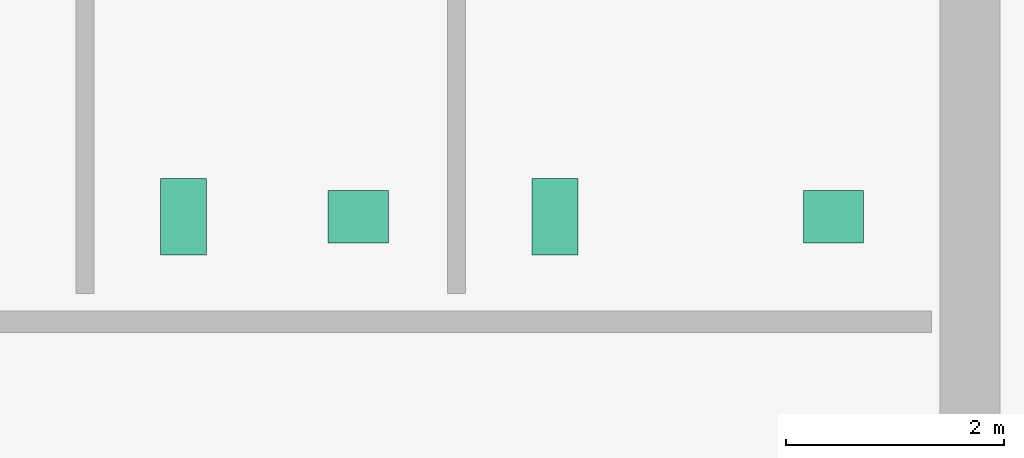
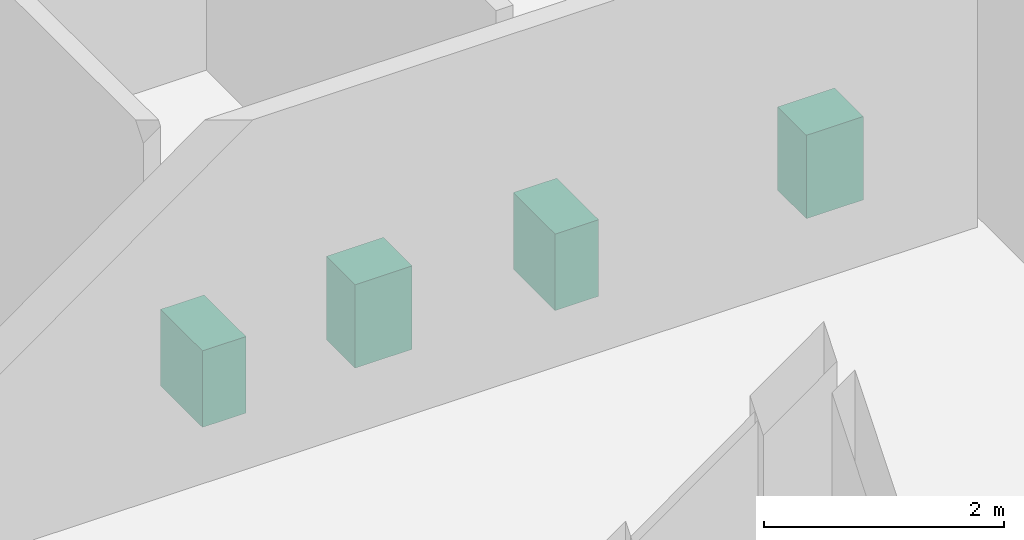
# One storey, part 14 of 14: 4 sanitary terminals.
"""IFC4 building model written with IfcOpenShell, lengths in metres."""

from ifc_helpers import new_model, si_unit, direction, frame, origin, origin_2d, place, context, subcontext, project, spatial, rectangle, extrude, material, type_object, element, save


model = new_model("IFC4")

# Units and contexts
model_context = context("Model", 3, precision=1e-05, world=origin(), true_north=direction((0.0, 1.0)))
body_context = subcontext(model_context, "Body", "Model", "MODEL_VIEW")
ifc_project = project(units=[si_unit("LENGTHUNIT", "METRE"), si_unit("AREAUNIT", "SQUARE_METRE"), si_unit("VOLUMEUNIT", "CUBIC_METRE"), si_unit("PLANEANGLEUNIT", "RADIAN"), si_unit("MASSUNIT", "GRAM", prefix="KILO")], contexts=[model_context])

# Site, building, storey
site_placement = place(None, origin())
site = spatial("IfcSite", under=ifc_project, at=site_placement, CompositionType="ELEMENT")
building_placement = place(site_placement, origin())
building = spatial("IfcBuilding", under=site, at=building_placement, Name="Norrvale University Quadrangle", CompositionType="ELEMENT")
storey_placement = place(building_placement, frame((0.0, 0.0, 221.800048828125)))
storey = spatial("IfcBuildingStorey", under=building, at=storey_placement, Name="L56", CompositionType="ELEMENT", Elevation=221.800048828125)

# Sanitary terminals
ifc_material = material(Name="Vitreous China Sanitaryware")
sanitary_terminal_type_1 = type_object("IfcSanitaryTerminalType", Name="Sanitary Wash Basin", PredefinedType="WASHHANDBASIN", material=ifc_material)
for number, where, z_axis, x_axis, name in (
    (1, (11.199951171875, 41.10009765625, 0.0), (0.0, 0.0, 1.0), (1.0, 0.0, 0.0), "Accessible Countertop Washbasin L56-1"),
    (2, (15.550048828125, 41.10009765625, 0.0), (0.0, 0.0, 1.0), (1.0, 0.0, 0.0), "Accessible Countertop Washbasin L56-2"),
):
    element("IfcSanitaryTerminal", number, at=place(storey_placement, frame(where, z_axis=z_axis, x_axis=x_axis)), inside=storey, type_object=sanitary_terminal_type_1, Name=name, PredefinedType="WASHHANDBASIN", context=body_context, shape_type="SweptSolid", body=[
        extrude(rectangle(XDim=0.550048828125, YDim=0.47998046875, at=origin_2d()), origin(), (0.0, 0.0, 1.0), 0.85009765625),
    ])
sanitary_terminal_type_2 = type_object("IfcSanitaryTerminalType", Name="Sanitary Water Closet", PredefinedType="TOILETPAN", material=ifc_material)
for number, where, z_axis, x_axis, name in (
    (3, (9.60009765625, 41.10009765625, 0.0), (0.0, 0.0, 1.0), (1.0, 0.0, 0.0), "Wall-Hung Water Closet L56-1"),
    (4, (13.0, 41.10009765625, 0.0), (0.0, 0.0, 1.0), (1.0, 0.0, 0.0), "Wall-Hung Water Closet L56-2"),
):
    element("IfcSanitaryTerminal", number, at=place(storey_placement, frame(where, z_axis=z_axis, x_axis=x_axis)), inside=storey, type_object=sanitary_terminal_type_2, Name=name, PredefinedType="TOILETPAN", context=body_context, shape_type="SweptSolid", body=[
        extrude(rectangle(XDim=0.419921875, YDim=0.699951171875, at=origin_2d()), origin(), (0.0, 0.0, 1.0), 0.780029296875),
    ])

save(model, "model.ifc")
